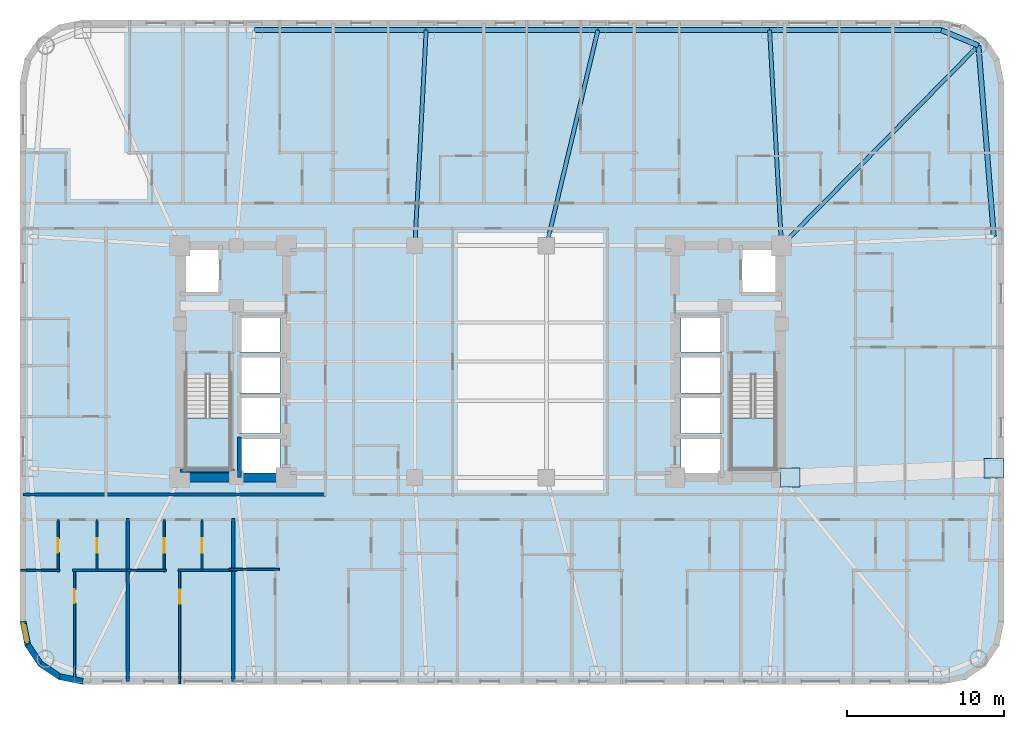
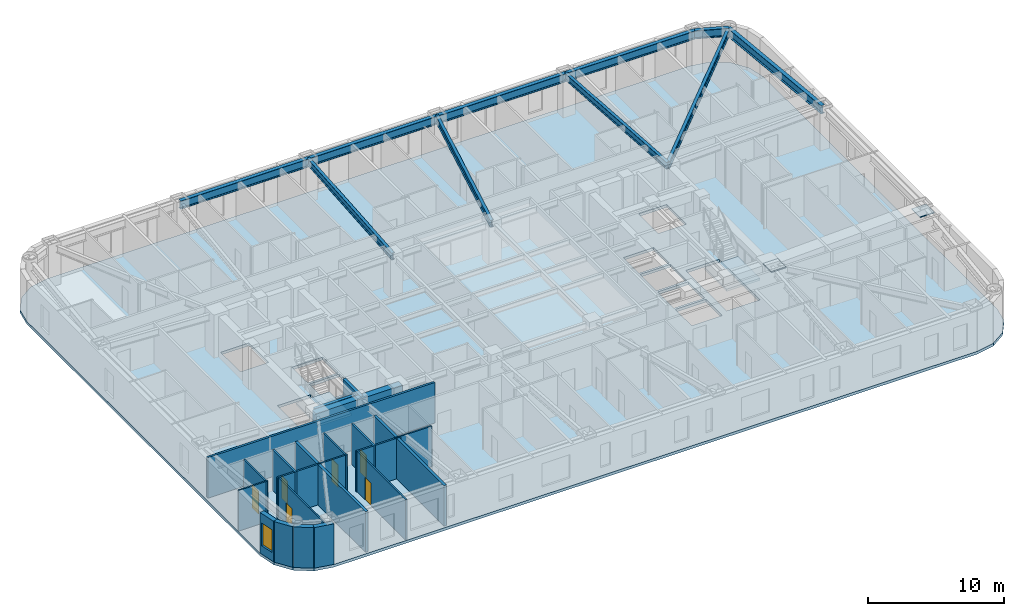
# One storey, part 2 of 12: 21 walls, 10 beams, 6 doors, 3 slabs, 2 plates, 1 window, 7 openings, 2 elements without a shape of their own.
"""IFC4 building model written with IfcOpenShell, lengths in metres."""

from ifc_helpers import new_model, si_unit, direction, frame, frame_2d, origin, origin_2d, place, context, subcontext, project, spatial, polyline, rectangle, i_section, outline, extrude, material, layer, layer_set, material_profile, profile_set, type_object, element, fill, aggregate, save


model = new_model("IFC4")

# Units and contexts
model_context = context("Model", 3, precision=1e-05, world=origin(), true_north=direction((0.0, 1.0)))
body_context = subcontext(model_context, "Body", "Model", "MODEL_VIEW")
ifc_project = project(units=[si_unit("LENGTHUNIT", "METRE"), si_unit("AREAUNIT", "SQUARE_METRE"), si_unit("VOLUMEUNIT", "CUBIC_METRE"), si_unit("PLANEANGLEUNIT", "RADIAN"), si_unit("MASSUNIT", "GRAM", prefix="KILO")], contexts=[model_context])

# Site, building, storey
site_placement = place(None, origin())
site = spatial("IfcSite", under=ifc_project, at=site_placement, CompositionType="ELEMENT")
building_placement = place(site_placement, origin())
building = spatial("IfcBuilding", under=site, at=building_placement, Name="Voryun Gate Residences", CompositionType="ELEMENT")
storey_placement = place(building_placement, frame((0.0, 0.0, 101.39990234375)))
storey = spatial("IfcBuildingStorey", under=building, at=storey_placement, Name="L24", CompositionType="ELEMENT", Elevation=101.39990234375)

# Beams
ifc_material_1 = material(Name="Steel SM355", Category="steel")
ifc_material_profile_1 = material_profile(ifc_material_1, i_section(OverallWidth=0.320068359375, OverallDepth=0.75, WebThickness=0.01611328125, FlangeThickness=0.028076171875, FilletRadius=0.01806640625, at=origin_2d()), Name="H-750x320x16x28")
ifc_profile_set_1 = profile_set([ifc_material_profile_1], Name="Steel SM355")
beam_type_1 = type_object("IfcBeamType", Name="BM_EXO_SPANDREL_L", PredefinedType="SPANDREL", material=ifc_profile_set_1)
beam_1_placement = place(storey_placement, frame((32.75, 7.998046875, 3.275146484375), z_axis=(-0.080359517973, 0.996765944378, 0.0), x_axis=(-0.996765944378, -0.080359517973, 0.0)))
element("IfcBeam", 1, at=beam_1_placement, inside=storey, type_object=beam_type_1, Name="BM-L24-SPAND-09", PredefinedType="SPANDREL", context=body_context, shape_type="SweptSolid", body=[
    extrude(i_section(OverallWidth=0.320068359375, OverallDepth=0.75, WebThickness=0.01611328125, FlangeThickness=0.028076171875, FilletRadius=0.01806640625, at=origin_2d()), origin(), (0.0, 0.0, 1.0), 12.210205078125),
])
beam_2_placement = place(storey_placement, frame((31.768798828125, 20.168701171875, 3.275146484375), z_axis=(-0.923883376753, 0.382674151414, 0.0), x_axis=(-0.382674151414, -0.923883376753, 0.0)))
element("IfcBeam", 2, at=beam_2_placement, inside=storey, type_object=beam_type_1, Name="BM-L24-SPAND-10", PredefinedType="SPANDREL", context=body_context, shape_type="SweptSolid", body=[
    extrude(i_section(OverallWidth=0.320068359375, OverallDepth=0.75, WebThickness=0.01611328125, FlangeThickness=0.028076171875, FilletRadius=0.01806640625, at=origin_2d()), origin(), (0.0, 0.0, 1.0), 2.56396484375),
])
for number, where, z_axis, x_axis, name in (
    (3, (29.39990234375, 21.14990234375, 3.275146484375), (-1.0, 0.0, 0.0), (0.0, -1.0, 0.0), "BM-L24-SPAND-11"),
    (4, (18.43994140625, 21.14990234375, 3.275146484375), (-1.0, 0.0, 0.0), (0.0, -1.0, 0.0), "BM-L24-SPAND-12"),
    (5, (7.47998046875, 21.14990234375, 3.275146484375), (-1.0, 0.0, 0.0), (0.0, -1.0, 0.0), "BM-L24-SPAND-13"),
    (6, (-3.47998046875, 21.14990234375, 3.275146484375), (-1.0, 0.0, 0.0), (0.0, -1.0, 0.0), "BM-L24-SPAND-14"),
):
    element("IfcBeam", number, at=place(storey_placement, frame(where, z_axis=z_axis, x_axis=x_axis)), inside=storey, type_object=beam_type_1, Name=name, PredefinedType="SPANDREL", context=body_context, shape_type="SweptSolid", body=[
        extrude(i_section(OverallWidth=0.320068359375, OverallDepth=0.75, WebThickness=0.01611328125, FlangeThickness=0.028076171875, FilletRadius=0.01806640625, at=origin_2d()), origin(), (0.0, 0.0, 1.0), 10.9599609375),
    ])
ifc_material_2 = material(Name="Steel SM355", Category="steel")
ifc_material_profile_2 = material_profile(ifc_material_2, i_section(OverallWidth=0.25, OverallDepth=0.60009765625, WebThickness=0.011962890625, FlangeThickness=0.02197265625, FilletRadius=0.01806640625, at=origin_2d()), Name="H-600x250x12x22")
ifc_profile_set_2 = profile_set([ifc_material_profile_2], Name="Steel SM355")
beam_type_2 = type_object("IfcBeamType", Name="BM_GIRD_600", PredefinedType="USERDEFINED", material=ifc_profile_set_2)
beam_3_placement = place(storey_placement, frame((19.199951171875, 7.39990234375, 3.35009765625), z_axis=(0.701504829324, 0.712664699866, 0.0), x_axis=(-0.712664699866, 0.701504829324, 0.0)))
element("IfcBeam", 7, at=beam_3_placement, inside=storey, type_object=beam_type_2, Name="BM-L24-RAD-CNE", ObjectType="GIRDER", PredefinedType="USERDEFINED", context=body_context, shape_type="SweptSolid", body=[
    extrude(i_section(OverallWidth=0.25, OverallDepth=0.60009765625, WebThickness=0.011962890625, FlangeThickness=0.02197265625, FilletRadius=0.01806640625, at=origin_2d()), origin(), (0.0, 0.0, 1.0), 17.9169921875),
])
beam_4_placement = place(storey_placement, frame((19.199951171875, 7.39990234375, 3.35009765625), z_axis=(-0.055189196078, 0.9984759149, 0.0), x_axis=(-0.9984759149, -0.055189196078, 0.0)))
element("IfcBeam", 8, at=beam_4_placement, inside=storey, type_object=beam_type_2, Name="BM-L24-RAD-N2", ObjectType="GIRDER", PredefinedType="USERDEFINED", context=body_context, shape_type="SweptSolid", body=[
    extrude(i_section(OverallWidth=0.25, OverallDepth=0.60009765625, WebThickness=0.011962890625, FlangeThickness=0.02197265625, FilletRadius=0.01806640625, at=origin_2d()), origin(), (0.0, 0.0, 1.0), 13.77099609375),
])
beam_5_placement = place(storey_placement, frame((4.199951171875, 7.39990234375, 3.35009765625), z_axis=(0.232036902087, 0.972706983665, 0.0), x_axis=(-0.972706983665, 0.232036902087, 0.0)))
element("IfcBeam", 9, at=beam_5_placement, inside=storey, type_object=beam_type_2, Name="BM-L24-RAD-N3", ObjectType="GIRDER", PredefinedType="USERDEFINED", context=body_context, shape_type="SweptSolid", body=[
    extrude(i_section(OverallWidth=0.25, OverallDepth=0.60009765625, WebThickness=0.011962890625, FlangeThickness=0.02197265625, FilletRadius=0.01806640625, at=origin_2d()), origin(), (0.0, 0.0, 1.0), 14.1357421875),
])
beam_6_placement = place(storey_placement, frame((-4.199951171875, 7.39990234375, 3.35009765625), z_axis=(0.052289872463, 0.998631948837, 0.0), x_axis=(-0.998631948837, 0.052289872463, 0.0)))
element("IfcBeam", 10, at=beam_6_placement, inside=storey, type_object=beam_type_2, Name="BM-L24-RAD-N4", ObjectType="GIRDER", PredefinedType="USERDEFINED", context=body_context, shape_type="SweptSolid", body=[
    extrude(i_section(OverallWidth=0.25, OverallDepth=0.60009765625, WebThickness=0.011962890625, FlangeThickness=0.02197265625, FilletRadius=0.01806640625, at=origin_2d()), origin(), (0.0, 0.0, 1.0), 13.768798828125),
])

# Plates
ifc_material_3 = material(Name="Steel SM355", Category="steel")
ifc_layer_1 = layer(ifc_material_3, 0.02490234375, Name="PLT_END_CAP_25")
ifc_layer_set_1 = layer_set([ifc_layer_1], Name="Steel SM355")
plate_type = type_object("IfcPlateType", Name="PLT_END_CAP_25", PredefinedType="USERDEFINED", material=ifc_layer_set_1)
for number, where, z_axis, x_axis, name in (
    (11, (19.75, -7.39990234375, 3.06005859375), (0.0, 0.0, 1.0), (1.0, 0.0, 0.0), "L24 Hollow Member End-Cap Plate EC-374"),
    (12, (32.75, -6.798095703125, 3.06005859375), (0.0, 0.0, 1.0), (1.0, 0.0, 0.0), "L24 Hollow Member End-Cap Plate EC-375"),
):
    element("IfcPlate", number, at=place(storey_placement, frame(where, z_axis=z_axis, x_axis=x_axis)), inside=storey, type_object=plate_type, Name=name, ObjectType="BASE_PLATE", PredefinedType="USERDEFINED", context=body_context, shape_type="SweptSolid", body=[
        extrude(rectangle(XDim=1.239990234375, YDim=1.239990234375, at=origin_2d()), origin(), (0.0, 0.0, 1.0), 0.080078125),
    ])

# Slab
ifc_material_4 = material(Name="Concrete C40/50", Category="concrete")
ifc_layer_2 = layer(ifc_material_4, 0.25, Name="SLB_RES_250")
ifc_layer_set_2 = layer_set([ifc_layer_2], Name="Concrete C40/50")
slab_type_1 = type_object("IfcSlabType", Name="SLB_RES_250", PredefinedType="FLOOR", material=ifc_layer_set_2)
slab_1_placement = place(storey_placement, frame((0.0, 0.0, -0.25)))
element("IfcSlab", 13, at=slab_1_placement, inside=storey, type_object=slab_type_1, Name="L24 Structural Floor Slab", PredefinedType="FLOOR", context=body_context, shape_type="SweptSolid", body=[
    extrude(outline(polyline([(-25.39990234375, -20.60009765625), (-26.9306640625, -20.29541015625), (-28.228515625, -19.428466796875), (-29.095458984375, -18.130615234375), (-29.39990234375, -16.60009765625), (-29.39990234375, 17.800048828125), (-29.095458984375, 19.330810546875), (-28.228515625, 20.62841796875), (-26.9306640625, 21.49560546875), (-25.39990234375, 21.800048828125), (29.39990234375, 21.800048828125), (30.9306640625, 21.49560546875), (32.228515625, 20.62841796875), (33.095458984375, 19.330810546875), (33.39990234375, 17.800048828125), (33.39990234375, -16.60009765625), (33.095458984375, -18.130615234375), (32.228515625, -19.428466796875), (30.9306640625, -20.29541015625), (29.39990234375, -20.60009765625), (-25.39990234375, -20.60009765625)]), holes=[polyline([(-12.800048828125, -4.800048828125), (-15.39990234375, -4.800048828125), (-15.39990234375, -7.199951171875), (-12.800048828125, -7.199951171875), (-12.800048828125, -4.800048828125)]), polyline([(-18.824951171875, -6.85009765625), (-15.97509765625, -6.85009765625), (-15.97509765625, -0.840087890625), (-18.824951171875, -0.840087890625), (-18.824951171875, -6.85009765625)]), polyline([(-12.800048828125, -4.60009765625), (-12.800048828125, -2.199951171875), (-15.39990234375, -2.199951171875), (-15.39990234375, -4.60009765625), (-12.800048828125, -4.60009765625)]), polyline([(-12.800048828125, 0.39990234375), (-15.39990234375, 0.39990234375), (-15.39990234375, -2.0), (-12.800048828125, -2.0), (-12.800048828125, 0.39990234375)]), polyline([(-12.800048828125, 0.60009765625), (-12.800048828125, 2.89990234375), (-15.39990234375, 2.89990234375), (-15.39990234375, 0.60009765625), (-12.800048828125, 0.60009765625)]), polyline([(-16.60009765625, 4.300048828125), (-16.60009765625, 7.199951171875), (-19.0, 7.199951171875), (-19.0, 4.300048828125), (-16.60009765625, 4.300048828125)]), polyline([(15.39990234375, -4.800048828125), (12.800048828125, -4.800048828125), (12.800048828125, -7.199951171875), (15.39990234375, -7.199951171875), (15.39990234375, -4.800048828125)]), polyline([(15.97509765625, -6.85009765625), (18.824951171875, -6.85009765625), (18.824951171875, -0.840087890625), (15.97509765625, -0.840087890625), (15.97509765625, -6.85009765625)]), polyline([(15.39990234375, -4.60009765625), (15.39990234375, -2.199951171875), (12.800048828125, -2.199951171875), (12.800048828125, -4.60009765625), (15.39990234375, -4.60009765625)]), polyline([(15.39990234375, 0.39990234375), (12.800048828125, 0.39990234375), (12.800048828125, -2.0), (15.39990234375, -2.0), (15.39990234375, 0.39990234375)]), polyline([(15.39990234375, 0.60009765625), (15.39990234375, 2.89990234375), (12.800048828125, 2.89990234375), (12.800048828125, 0.60009765625), (15.39990234375, 0.60009765625)]), polyline([(19.0, 4.300048828125), (19.0, 7.199951171875), (16.60009765625, 7.199951171875), (16.60009765625, 4.300048828125), (19.0, 4.300048828125)])]), origin(), (0.0, 0.0, 1.0), 0.25),
])

# Stair, slab
ifc_material_5 = material(Name="Concrete C40/50", Category="concrete")
stair_type = type_object("IfcStairType", Name="STR_CORE_DOGLEG_1350", PredefinedType="HALF_TURN_STAIR", material=ifc_material_5)
stair_1_placement = place(storey_placement, origin())
stair_1 = element("IfcStair", 14, at=stair_1_placement, inside=storey, type_object=stair_type, Name="L24 Special Escape Stair ST-W1", PredefinedType="HALF_TURN_STAIR")
ifc_material_6 = material(Name="Concrete C40/50", Category="concrete")
ifc_layer_3 = layer(ifc_material_6, 0.199951171875, Name="SLB_STAIR_LANDING_200")
ifc_layer_set_3 = layer_set([ifc_layer_3], Name="Concrete C40/50")
slab_type_2 = type_object("IfcSlabType", Name="SLB_STAIR_LANDING_200", PredefinedType="LANDING", material=ifc_layer_set_3)
slab_2_placement = place(storey_placement, frame((0.0, 0.0, 1.75)))
slab_2 = element("IfcSlab", 15, at=slab_2_placement, type_object=slab_type_2, Name="ST-W1 landing 1", PredefinedType="LANDING", context=body_context, shape_type="SweptSolid", body=[
    extrude(outline(polyline([(-18.824951171875, -3.60009765625), (-18.824951171875, -6.85009765625), (-15.97509765625, -6.85009765625), (-15.97509765625, -3.60009765625), (-18.824951171875, -3.60009765625)])), origin(), (0.0, 0.0, 1.0), 0.2001953125),
])
aggregate(stair_1, [slab_2])

stair_2_placement = place(storey_placement, origin())
stair_2 = element("IfcStair", 16, at=stair_2_placement, inside=storey, type_object=stair_type, Name="L24 Special Escape Stair ST-E1", PredefinedType="HALF_TURN_STAIR")
slab_3_placement = place(storey_placement, frame((0.0, 0.0, 1.75)))
slab_3 = element("IfcSlab", 17, at=slab_3_placement, type_object=slab_type_2, Name="ST-E1 landing 1", PredefinedType="LANDING", context=body_context, shape_type="SweptSolid", body=[
    extrude(outline(polyline([(15.97509765625, -3.60009765625), (15.97509765625, -6.85009765625), (18.824951171875, -6.85009765625), (18.824951171875, -3.60009765625), (15.97509765625, -3.60009765625)])), origin(), (0.0, 0.0, 1.0), 0.2001953125),
])
aggregate(stair_2, [slab_3])

# Walls
ifc_material_7 = material(Name="Concrete C60/75", Category="concrete")
ifc_layer_4 = layer(ifc_material_7, 0.550048828125, Name="CW_CORE_550")
ifc_layer_set_4 = layer_set([ifc_layer_4], Name="Concrete C60/75")
wall_type_1 = type_object("IfcWallType", Name="CW_CORE_550", PredefinedType="SHEAR", material=ifc_layer_set_4)
wall_1_placement = place(storey_placement, frame((-19.47509765625, -7.39990234375, 0.0), z_axis=(0.0, 0.0, 1.0), x_axis=(1.0, 0.0, 0.0)))
element("IfcWall", 18, at=wall_1_placement, inside=storey, type_object=wall_type_1, Name="L24 Core shear wall CW-L24-WS", PredefinedType="SHEAR", context=body_context, shape_type="SweptSolid", body=[
    extrude(rectangle(XDim=7.35009765625, YDim=0.550048828125, at=frame_2d((3.675048828125, 0.0))), origin(), (0.0, 0.0, 1.0), 3.650146484375),
])
ifc_material_8 = material(Name="Gypsum acoustic fireboard")
ifc_layer_5 = layer(ifc_material_8, 0.179931640625, Name="W_CORR_RATED_180")
ifc_layer_set_5 = layer_set([ifc_layer_5], Name="Gypsum acoustic fireboard")
wall_type_2 = type_object("IfcWallType", Name="W_CORR_RATED_180", PredefinedType="PARTITIONING", material=ifc_layer_set_5)
wall_2_placement = place(storey_placement, frame((-29.2099609375, -8.489990234375, 0.0), z_axis=(0.0, 0.0, 1.0), x_axis=(1.0, 0.0, 0.0)))
element("IfcWall", 19, at=wall_2_placement, inside=storey, type_object=wall_type_2, Name="Partition wall WP-L24-CWING-WS", PredefinedType="PARTITIONING", context=body_context, shape_type="SweptSolid", body=[
    extrude(rectangle(XDim=19.330078125, YDim=0.179931640625, at=frame_2d((9.6650390625, 0.0))), origin(), (0.0, 0.0, 1.0), 3.650146484375),
])
ifc_material_9 = material(Name="Granite masonry", Category="masonry")
ifc_layer_6 = layer(ifc_material_9, 0.3798828125, Name="W_EXT_GRANITE_380")
ifc_layer_set_6 = layer_set([ifc_layer_6], Name="Granite masonry")
wall_type_3 = type_object("IfcWallType", Name="W_EXT_GRANITE_380", PredefinedType="ELEMENTEDWALL", material=ifc_layer_set_6)
wall_3_placement = place(storey_placement, frame((-25.38134765625, -20.409912109375, 0.0), z_axis=(0.0, 0.0, 1.0), x_axis=(-0.980786132421, 0.195086038585, 0.0)))
element("IfcWall", 20, at=wall_3_placement, inside=storey, type_object=wall_type_3, Name="Exterior wall WEXT-L24-02", PredefinedType="ELEMENTEDWALL", context=body_context, shape_type="SweptSolid", body=[
    extrude(rectangle(XDim=1.504150390625, YDim=0.3798828125, at=frame_2d((0.751953125, 0.0))), origin(), (0.0, 0.0, 1.0), 3.650146484375),
])
wall_4_placement = place(storey_placement, frame((-26.856689453125, -20.116455078125, 0.0), z_axis=(0.0, 0.0, 1.0), x_axis=(-0.831468045563, 0.555572577804, 0.0)))
element("IfcWall", 21, at=wall_4_placement, inside=storey, type_object=wall_type_3, Name="Exterior wall WEXT-L24-03", PredefinedType="ELEMENTEDWALL", context=body_context, shape_type="SweptSolid", body=[
    extrude(rectangle(XDim=1.48486328125, YDim=0.3798828125, at=frame_2d((0.742431640625, 0.0))), origin(), (0.0, 0.0, 1.0), 3.650146484375),
])
wall_5_placement = place(storey_placement, frame((-28.09130859375, -19.29150390625, 0.0), z_axis=(0.0, 0.0, 1.0), x_axis=(-0.555610286119, 0.831442848281, 0.0)))
element("IfcWall", 22, at=wall_5_placement, inside=storey, type_object=wall_type_3, Name="Exterior wall WEXT-L24-04", PredefinedType="ELEMENTEDWALL", context=body_context, shape_type="SweptSolid", body=[
    extrude(rectangle(XDim=1.485107421875, YDim=0.3798828125, at=frame_2d((0.74267578125, 0.0))), origin(), (0.0, 0.0, 1.0), 3.650146484375),
])

# Wall, opening, window
wall_6_placement = place(storey_placement, frame((-28.91650390625, -18.056640625, 0.0), z_axis=(0.0, 0.0, 1.0), x_axis=(-0.195086038585, 0.980786132421, 0.0)))
wall_6 = element("IfcWall", 23, at=wall_6_placement, inside=storey, type_object=wall_type_3, Name="Exterior wall WEXT-L24-05", PredefinedType="ELEMENTEDWALL", context=body_context, shape_type="SweptSolid", body=[
    extrude(rectangle(XDim=1.504150390625, YDim=0.3798828125, at=frame_2d((0.751953125, 0.0))), origin(), (0.0, 0.0, 1.0), 3.650146484375),
])
opening_1_placement = place(wall_6_placement, frame((0.152099609375, 0.0, 0.75)))
opening_1 = element("IfcOpeningElement", 24, at=opening_1_placement, cuts=wall_6, Name="Opening WN6", PredefinedType="OPENING", context=body_context, shape_type="SweptSolid", body=[
    extrude(rectangle(XDim=1.199951171875, YDim=2.050048828125, at=frame_2d((0.60009765625, 1.02490234375))), frame((0.0, 0.199951171875, 0.0), z_axis=(0.0, -1.0, 0.0), x_axis=(1.0, 0.0, 0.0)), (0.0, 0.0, 1.0), 0.39990234375),
])
ifc_material_10 = material(Name="Laminated low-E glass", Category="glass")
window_type = type_object("IfcWindowType", Name="WN_POD_SLOT_1200", PartitioningType="SINGLE_PANEL", PredefinedType="WINDOW", material=ifc_material_10)
window_placement = place(opening_1_placement, origin())
window = element("IfcWindow", 25, at=window_placement, inside=storey, type_object=window_type, Name="Window WN-L24-DWFIX-16", OverallHeight=2.050048828125, OverallWidth=1.199951171875, PartitioningType="SINGLE_PANEL", PredefinedType="WINDOW", context=body_context, shape_type="SweptSolid", body=[
    extrude(rectangle(XDim=1.199951171875, YDim=2.050048828125, at=frame_2d((0.60009765625, 1.02490234375))), frame((0.0, 0.030029296875, 0.0), z_axis=(0.0, -1.0, 0.0), x_axis=(1.0, 0.0, 0.0)), (0.0, 0.0, 1.0), 0.06005859375),
])
fill(opening_1, window)

# Walls
ifc_material_11 = material(Name="Concrete C40/50", Category="concrete")
ifc_layer_7 = layer(ifc_material_11, 0.219970703125, Name="W_PARTY_ACOUSTIC_220")
ifc_layer_set_7 = layer_set([ifc_layer_7], Name="Concrete C40/50")
wall_type_4 = type_object("IfcWallType", Name="W_PARTY_ACOUSTIC_220", PredefinedType="PARTITIONING", material=ifc_layer_set_7)
for number, where, z_axis, x_axis, name in (
    (26, (-22.509033203125, -20.409912109375, 0.0), (0.0, 0.0, 1.0), (0.0, 1.0, 0.0), "Partition wall WP-L24-SPTY-1"),
    (27, (-15.800048828125, -20.409912109375, 0.0), (0.0, 0.0, 1.0), (0.0, 1.0, 0.0), "Partition wall WP-L24-SPTY-2"),
):
    element("IfcWall", number, at=place(storey_placement, frame(where, z_axis=z_axis, x_axis=x_axis)), inside=storey, type_object=wall_type_4, Name=name, PredefinedType="PARTITIONING", context=body_context, shape_type="SweptSolid", body=[
        extrude(rectangle(XDim=10.389892578125, YDim=0.219970703125, at=frame_2d((5.19482421875, 0.0))), origin(), (0.0, 0.0, 1.0), 3.650146484375),
    ])
ifc_material_12 = material(Name="Concrete C50/60", Category="concrete")
ifc_layer_8 = layer(ifc_material_12, 0.25, Name="W_SHAFT_RC250")
ifc_layer_set_8 = layer_set([ifc_layer_8], Name="Concrete C50/60")
wall_type_5 = type_object("IfcWallType", Name="W_SHAFT_RC250", PredefinedType="SOLIDWALL", material=ifc_layer_set_8)
wall_7_placement = place(storey_placement, frame((-19.199951171875, -6.965087890625, 0.0), z_axis=(0.0, 0.0, 1.0), x_axis=(1.0, 0.0, 0.0)))
element("IfcWall", 28, at=wall_7_placement, inside=storey, type_object=wall_type_5, Name="L24 Stair shaft structural wall W-STS", PredefinedType="SOLIDWALL", context=body_context, shape_type="SweptSolid", body=[
    extrude(rectangle(XDim=3.4599609375, YDim=0.25, at=frame_2d((1.72998046875, 0.0))), origin(), (0.0, 0.0, 1.0), 3.650146484375),
])
wall_8_placement = place(storey_placement, frame((-15.39990234375, -4.800048828125, 0.0), z_axis=(0.0, 0.0, 1.0), x_axis=(0.0, -1.0, 0.0)))
element("IfcWall", 29, at=wall_8_placement, inside=storey, type_object=wall_type_5, Name="Lift shaft wall WSH-L24-EL-P1-W", PredefinedType="SOLIDWALL", context=body_context, shape_type="SweptSolid", body=[
    extrude(rectangle(XDim=2.599853515625, YDim=0.25, at=frame_2d((1.2998046875, 0.0))), origin(), (0.0, 0.0, 1.0), 3.650146484375),
])

# Wall, opening, door
ifc_material_13 = material(Name="Gypsum acoustic partition")
ifc_layer_9 = layer(ifc_material_13, 0.125, Name="W_UNIT_PART_125")
ifc_layer_set_9 = layer_set([ifc_layer_9], Name="Gypsum acoustic partition")
wall_type_6 = type_object("IfcWallType", Name="W_UNIT_PART_125", PredefinedType="PARTITIONING", material=ifc_layer_set_9)
wall_9_placement = place(storey_placement, frame((-25.9189453125, -20.4560546875, 0.0), z_axis=(0.0, 0.0, 1.0), x_axis=(0.0, 1.0, 0.0)))
wall_9 = element("IfcWall", 30, at=wall_9_placement, inside=storey, type_object=wall_type_6, Name="Partition wall WP-L24-S1-OVR", PredefinedType="PARTITIONING", context=body_context, shape_type="SweptSolid", body=[
    extrude(rectangle(XDim=7.216064453125, YDim=0.125, at=frame_2d((3.60791015625, 0.0))), origin(), (0.0, 0.0, 1.0), 3.650146484375),
])
opening_2_placement = place(wall_9_placement, frame((5.0341796875, 0.0, 0.0)))
opening_2 = element("IfcOpeningElement", 31, at=opening_2_placement, cuts=wall_9, Name="Opening D-INT-2", PredefinedType="OPENING", context=body_context, shape_type="SweptSolid", body=[
    extrude(rectangle(XDim=0.89990234375, YDim=2.050048828125, at=frame_2d((0.449951171875, 1.02490234375))), frame((0.0, 0.072509765625, 0.0), z_axis=(0.0, -1.0, 0.0), x_axis=(1.0, 0.0, 0.0)), (0.0, 0.0, 1.0), 0.14501953125),
])
ifc_material_14 = material(Name="Architectural oak veneer")
door_type_1 = type_object("IfcDoorType", Name="DR_INT_BATH_900", OperationType="NOTDEFINED", PredefinedType="DOOR", material=ifc_material_14)
door_1_placement = place(opening_2_placement, origin())
door_1 = element("IfcDoor", 32, at=door_1_placement, inside=storey, type_object=door_type_1, Name="Door DR-L24-S1-DMB", OperationType="SINGLE_SWING_RIGHT", OverallHeight=2.050048828125, OverallWidth=0.89990234375, PredefinedType="DOOR", context=body_context, shape_type="SweptSolid", body=[
    extrude(rectangle(XDim=0.89990234375, YDim=2.050048828125, at=frame_2d((0.449951171875, 1.02490234375))), frame((0.0, 0.02490234375, 0.0), z_axis=(0.0, -1.0, 0.0), x_axis=(1.0, 0.0, 0.0)), (0.0, 0.0, 1.0), 0.050048828125),
])
fill(opening_2, door_1)

wall_10_placement = place(storey_placement, frame((-26.968017578125, -13.39990234375, 0.0), z_axis=(0.0, 0.0, 1.0), x_axis=(0.0, 1.0, 0.0)))
wall_10 = element("IfcWall", 33, at=wall_10_placement, inside=storey, type_object=wall_type_6, Name="Partition wall WP-L24-S1-IVK", PredefinedType="PARTITIONING", context=body_context, shape_type="SweptSolid", body=[
    extrude(rectangle(XDim=3.31982421875, YDim=0.125, at=frame_2d((1.659912109375, 0.0))), origin(), (0.0, 0.0, 1.0), 3.650146484375),
])
opening_3_placement = place(wall_10_placement, frame((1.18505859375, 0.0, 0.0)))
opening_3 = element("IfcOpeningElement", 34, at=opening_3_placement, cuts=wall_10, Name="Opening D-INT-1", PredefinedType="OPENING", context=body_context, shape_type="SweptSolid", body=[
    extrude(rectangle(XDim=0.949951171875, YDim=2.050048828125, at=frame_2d((0.47509765625, 1.02490234375))), frame((0.0, 0.072509765625, 0.0), z_axis=(0.0, -1.0, 0.0), x_axis=(1.0, 0.0, 0.0)), (0.0, 0.0, 1.0), 0.14501953125),
])
ifc_material_15 = material(Name="Architectural oak veneer")
door_type_2 = type_object("IfcDoorType", Name="DR_INT_ROOM_950", OperationType="NOTDEFINED", PredefinedType="DOOR", material=ifc_material_15)
door_2_placement = place(opening_3_placement, origin())
door_2 = element("IfcDoor", 35, at=door_2_placement, inside=storey, type_object=door_type_2, Name="Door DR-L24-S1-DK", OperationType="SINGLE_SWING_LEFT", OverallHeight=2.050048828125, OverallWidth=0.949951171875, PredefinedType="DOOR", context=body_context, shape_type="SweptSolid", body=[
    extrude(rectangle(XDim=0.949951171875, YDim=2.050048828125, at=frame_2d((0.47509765625, 1.02490234375))), frame((0.0, 0.02490234375, 0.0), z_axis=(0.0, -1.0, 0.0), x_axis=(1.0, 0.0, 0.0)), (0.0, 0.0, 1.0), 0.050048828125),
])
fill(opening_3, door_2)

# Wall
wall_11_placement = place(storey_placement, frame((-29.360107421875, -13.320068359375, 0.0), z_axis=(0.0, 0.0, 1.0), x_axis=(1.0, 0.0, 0.0)))
element("IfcWall", 36, at=wall_11_placement, inside=storey, type_object=wall_type_6, Name="Partition wall WP-L24-S1-HZK", PredefinedType="PARTITIONING", context=body_context, shape_type="SweptSolid", body=[
    extrude(rectangle(XDim=2.51220703125, YDim=0.125, at=frame_2d((1.256103515625, 0.0))), origin(), (0.0, 0.0, 1.0), 3.650146484375),
])

# Wall, opening, door
wall_12_placement = place(storey_placement, frame((-19.2099609375, -20.56005859375, 0.0), z_axis=(0.0, 0.0, 1.0), x_axis=(0.0, 1.0, 0.0)))
wall_12 = element("IfcWall", 37, at=wall_12_placement, inside=storey, type_object=wall_type_6, Name="Partition wall WP-L24-S2-OVR", PredefinedType="PARTITIONING", context=body_context, shape_type="SweptSolid", body=[
    extrude(rectangle(XDim=7.320068359375, YDim=0.125, at=frame_2d((3.66015625, 0.0))), origin(), (0.0, 0.0, 1.0), 3.650146484375),
])
opening_4_placement = place(wall_12_placement, frame((5.11328125, 0.0, 0.0)))
opening_4 = element("IfcOpeningElement", 38, at=opening_4_placement, cuts=wall_12, Name="Opening D-INT-2", PredefinedType="OPENING", context=body_context, shape_type="SweptSolid", body=[
    extrude(rectangle(XDim=0.89990234375, YDim=2.050048828125, at=frame_2d((0.449951171875, 1.02490234375))), frame((0.0, 0.072509765625, 0.0), z_axis=(0.0, -1.0, 0.0), x_axis=(1.0, 0.0, 0.0)), (0.0, 0.0, 1.0), 0.14501953125),
])
door_3_placement = place(opening_4_placement, origin())
door_3 = element("IfcDoor", 39, at=door_3_placement, inside=storey, type_object=door_type_1, Name="Door DR-L24-S2-DMB", OperationType="SINGLE_SWING_RIGHT", OverallHeight=2.050048828125, OverallWidth=0.89990234375, PredefinedType="DOOR", context=body_context, shape_type="SweptSolid", body=[
    extrude(rectangle(XDim=0.89990234375, YDim=2.050048828125, at=frame_2d((0.449951171875, 1.02490234375))), frame((0.0, 0.02490234375, 0.0), z_axis=(0.0, -1.0, 0.0), x_axis=(1.0, 0.0, 0.0)), (0.0, 0.0, 1.0), 0.050048828125),
])
fill(opening_4, door_3)

wall_13_placement = place(storey_placement, frame((-20.198974609375, -13.39990234375, 0.0), z_axis=(0.0, 0.0, 1.0), x_axis=(0.0, 1.0, 0.0)))
wall_13 = element("IfcWall", 40, at=wall_13_placement, inside=storey, type_object=wall_type_6, Name="Partition wall WP-L24-S2-IVK", PredefinedType="PARTITIONING", context=body_context, shape_type="SweptSolid", body=[
    extrude(rectangle(XDim=3.31982421875, YDim=0.125, at=frame_2d((1.659912109375, 0.0))), origin(), (0.0, 0.0, 1.0), 3.650146484375),
])
opening_5_placement = place(wall_13_placement, frame((1.18505859375, 0.0, 0.0)))
opening_5 = element("IfcOpeningElement", 41, at=opening_5_placement, cuts=wall_13, Name="Opening D-INT-1", PredefinedType="OPENING", context=body_context, shape_type="SweptSolid", body=[
    extrude(rectangle(XDim=0.949951171875, YDim=2.050048828125, at=frame_2d((0.47509765625, 1.02490234375))), frame((0.0, 0.072509765625, 0.0), z_axis=(0.0, -1.0, 0.0), x_axis=(1.0, 0.0, 0.0)), (0.0, 0.0, 1.0), 0.14501953125),
])
door_4_placement = place(opening_5_placement, origin())
door_4 = element("IfcDoor", 42, at=door_4_placement, inside=storey, type_object=door_type_2, Name="Door DR-L24-S2-DK", OperationType="SINGLE_SWING_LEFT", OverallHeight=2.050048828125, OverallWidth=0.949951171875, PredefinedType="DOOR", context=body_context, shape_type="SweptSolid", body=[
    extrude(rectangle(XDim=0.949951171875, YDim=2.050048828125, at=frame_2d((0.47509765625, 1.02490234375))), frame((0.0, 0.02490234375, 0.0), z_axis=(0.0, -1.0, 0.0), x_axis=(1.0, 0.0, 0.0)), (0.0, 0.0, 1.0), 0.050048828125),
])
fill(opening_5, door_4)

# Walls
wall_14_placement = place(storey_placement, frame((-22.583984375, -13.320068359375, 0.0), z_axis=(0.0, 0.0, 1.0), x_axis=(1.0, 0.0, 0.0)))
element("IfcWall", 43, at=wall_14_placement, inside=storey, type_object=wall_type_6, Name="Partition wall WP-L24-S2-HZK", PredefinedType="PARTITIONING", context=body_context, shape_type="SweptSolid", body=[
    extrude(rectangle(XDim=2.5048828125, YDim=0.125, at=frame_2d((1.25244140625, 0.0))), origin(), (0.0, 0.0, 1.0), 3.650146484375),
])
wall_15_placement = place(storey_placement, frame((-16.06005859375, -13.260986328125, 0.0), z_axis=(0.0, 0.0, 1.0), x_axis=(1.0, 0.0, 0.0)))
element("IfcWall", 44, at=wall_15_placement, inside=storey, type_object=wall_type_6, Name="Partition wall WP-L24-S3-HZK", PredefinedType="PARTITIONING", context=body_context, shape_type="SweptSolid", body=[
    extrude(rectangle(XDim=3.195068359375, YDim=0.125, at=frame_2d((1.59765625, 0.0))), origin(), (0.0, 0.0, 1.0), 3.650146484375),
])
ifc_material_16 = material(Name="Gypsum moisture-resistant partition")
ifc_layer_10 = layer(ifc_material_16, 0.14990234375, Name="W_WET_PLUMB_150")
ifc_layer_set_10 = layer_set([ifc_layer_10], Name="Gypsum moisture-resistant partition")
wall_type_7 = type_object("IfcWallType", Name="W_WET_PLUMB_150", PredefinedType="PLUMBINGWALL", material=ifc_layer_set_10)
wall_16_placement = place(storey_placement, frame((-26.0390625, -13.320068359375, 0.0), z_axis=(0.0, 0.0, 1.0), x_axis=(1.0, 0.0, 0.0)))
element("IfcWall", 45, at=wall_16_placement, inside=storey, type_object=wall_type_7, Name="Partition wall WP-L24-S1-HZB", PredefinedType="PLUMBINGWALL", context=body_context, shape_type="SweptSolid", body=[
    extrude(rectangle(XDim=3.60498046875, YDim=0.14990234375, at=frame_2d((1.802490234375, 0.0))), origin(), (0.0, 0.0, 1.0), 3.650146484375),
])

# Wall, opening, door
wall_17_placement = place(storey_placement, frame((-24.489013671875, -13.39990234375, 0.0), z_axis=(0.0, 0.0, 1.0), x_axis=(0.0, 1.0, 0.0)))
wall_17 = element("IfcWall", 46, at=wall_17_placement, inside=storey, type_object=wall_type_7, Name="Partition wall WP-L24-S1-IVB", PredefinedType="PLUMBINGWALL", context=body_context, shape_type="SweptSolid", body=[
    extrude(rectangle(XDim=3.31982421875, YDim=0.14990234375, at=frame_2d((1.659912109375, 0.0))), origin(), (0.0, 0.0, 1.0), 3.650146484375),
])
opening_6_placement = place(wall_17_placement, frame((1.2099609375, 0.0, 0.0)))
opening_6 = element("IfcOpeningElement", 47, at=opening_6_placement, cuts=wall_17, Name="Opening D-INT-2", PredefinedType="OPENING", context=body_context, shape_type="SweptSolid", body=[
    extrude(rectangle(XDim=0.89990234375, YDim=2.050048828125, at=frame_2d((0.449951171875, 1.02490234375))), frame((0.0, 0.0849609375, 0.0), z_axis=(0.0, -1.0, 0.0), x_axis=(1.0, 0.0, 0.0)), (0.0, 0.0, 1.0), 0.169921875),
])
door_5_placement = place(opening_6_placement, origin())
door_5 = element("IfcDoor", 48, at=door_5_placement, inside=storey, type_object=door_type_1, Name="Door DR-L24-S1-DB", OperationType="SINGLE_SWING_RIGHT", OverallHeight=2.050048828125, OverallWidth=0.89990234375, PredefinedType="DOOR", context=body_context, shape_type="SweptSolid", body=[
    extrude(rectangle(XDim=0.89990234375, YDim=2.050048828125, at=frame_2d((0.449951171875, 1.02490234375))), frame((0.0, 0.02490234375, 0.0), z_axis=(0.0, -1.0, 0.0), x_axis=(1.0, 0.0, 0.0)), (0.0, 0.0, 1.0), 0.050048828125),
])
fill(opening_6, door_5)

# Wall
wall_18_placement = place(storey_placement, frame((-19.330078125, -13.320068359375, 0.0), z_axis=(0.0, 0.0, 1.0), x_axis=(1.0, 0.0, 0.0)))
element("IfcWall", 49, at=wall_18_placement, inside=storey, type_object=wall_type_7, Name="Partition wall WP-L24-S2-HZB", PredefinedType="PLUMBINGWALL", context=body_context, shape_type="SweptSolid", body=[
    extrude(rectangle(XDim=3.7900390625, YDim=0.14990234375, at=frame_2d((1.89501953125, 0.0))), origin(), (0.0, 0.0, 1.0), 3.650146484375),
])

# Wall, opening, door
wall_19_placement = place(storey_placement, frame((-17.780029296875, -13.39990234375, 0.0), z_axis=(0.0, 0.0, 1.0), x_axis=(0.0, 1.0, 0.0)))
wall_19 = element("IfcWall", 50, at=wall_19_placement, inside=storey, type_object=wall_type_7, Name="Partition wall WP-L24-S2-IVB", PredefinedType="PLUMBINGWALL", context=body_context, shape_type="SweptSolid", body=[
    extrude(rectangle(XDim=3.31982421875, YDim=0.14990234375, at=frame_2d((1.659912109375, 0.0))), origin(), (0.0, 0.0, 1.0), 3.650146484375),
])
opening_7_placement = place(wall_19_placement, frame((1.2099609375, 0.0, 0.0)))
opening_7 = element("IfcOpeningElement", 51, at=opening_7_placement, cuts=wall_19, Name="Opening D-INT-2", PredefinedType="OPENING", context=body_context, shape_type="SweptSolid", body=[
    extrude(rectangle(XDim=0.89990234375, YDim=2.050048828125, at=frame_2d((0.449951171875, 1.02490234375))), frame((0.0, 0.0849609375, 0.0), z_axis=(0.0, -1.0, 0.0), x_axis=(1.0, 0.0, 0.0)), (0.0, 0.0, 1.0), 0.169921875),
])
door_6_placement = place(opening_7_placement, origin())
door_6 = element("IfcDoor", 52, at=door_6_placement, inside=storey, type_object=door_type_1, Name="Door DR-L24-S2-DB", OperationType="SINGLE_SWING_RIGHT", OverallHeight=2.050048828125, OverallWidth=0.89990234375, PredefinedType="DOOR", context=body_context, shape_type="SweptSolid", body=[
    extrude(rectangle(XDim=0.89990234375, YDim=2.050048828125, at=frame_2d((0.449951171875, 1.02490234375))), frame((0.0, 0.02490234375, 0.0), z_axis=(0.0, -1.0, 0.0), x_axis=(1.0, 0.0, 0.0)), (0.0, 0.0, 1.0), 0.050048828125),
])
fill(opening_7, door_6)

save(model, "model.ifc")
